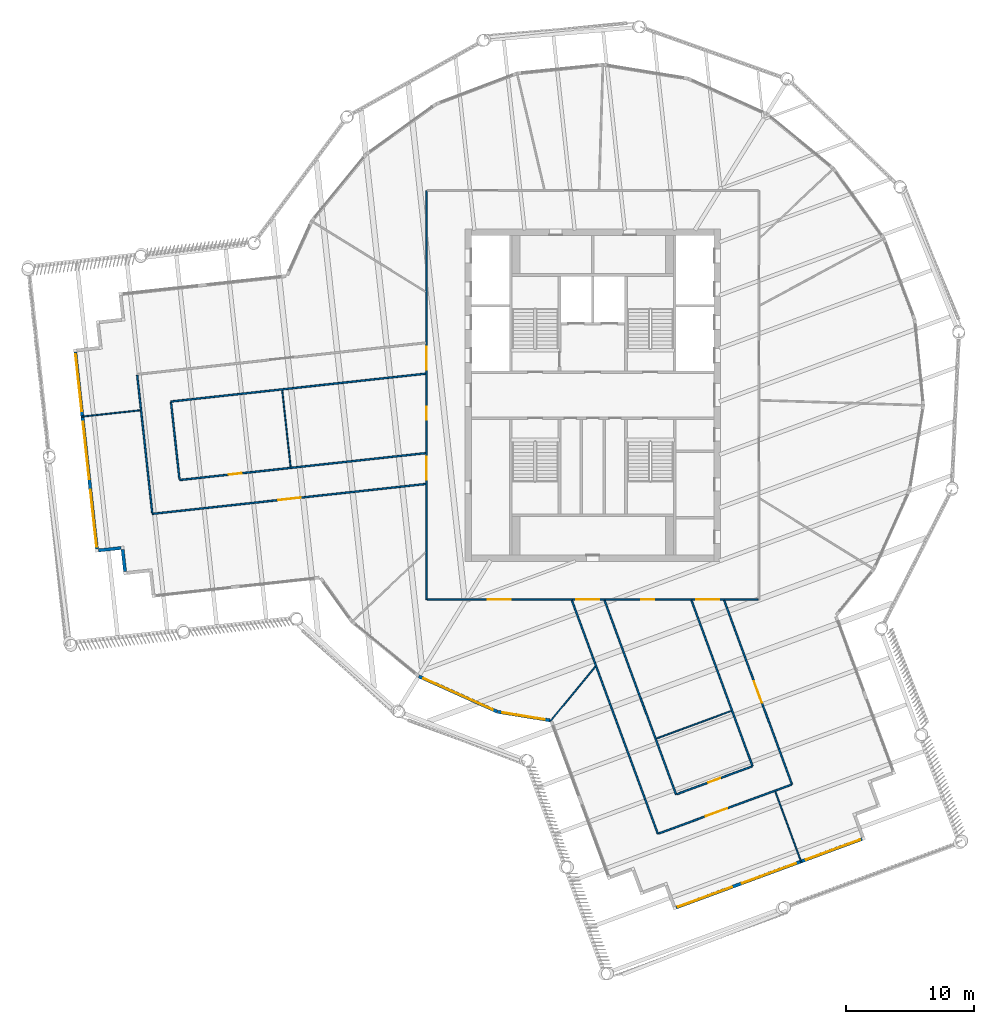
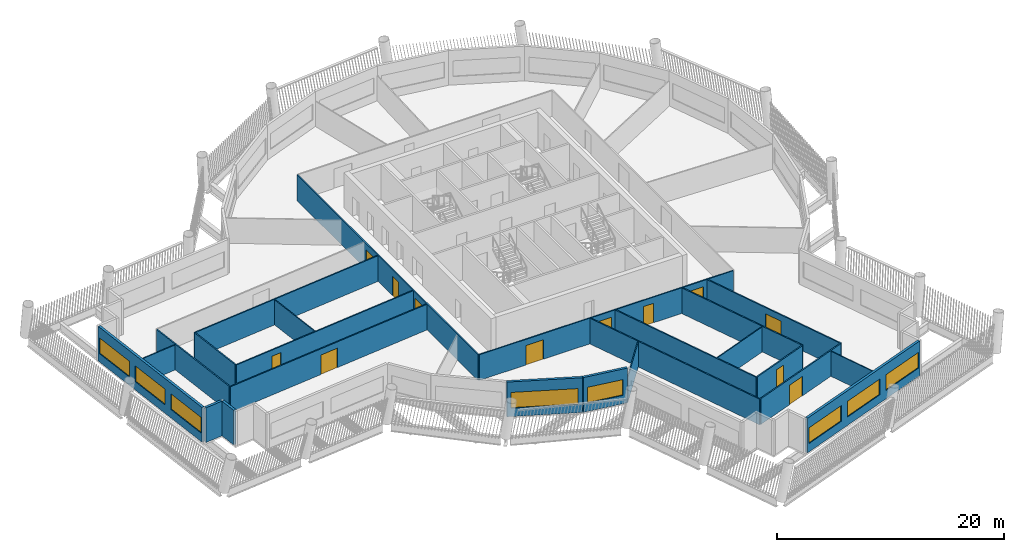
# One storey, part 3 of 14: 24 walls, 12 doors, 8 windows, 20 openings.
"""IFC4 building model written with IfcOpenShell, lengths in metres."""

from ifc_helpers import new_model, si_unit, direction, frame, frame_2d, origin, place, context, subcontext, project, spatial, rectangle, extrude, material, layer, layer_set, type_object, element, fill, save


model = new_model("IFC4")

# Units and contexts
model_context = context("Model", 3, precision=1e-05, world=origin(), true_north=direction((0.0, 1.0)))
body_context = subcontext(model_context, "Body", "Model", "MODEL_VIEW")
ifc_project = project(units=[si_unit("LENGTHUNIT", "METRE"), si_unit("AREAUNIT", "SQUARE_METRE"), si_unit("VOLUMEUNIT", "CUBIC_METRE"), si_unit("PLANEANGLEUNIT", "RADIAN"), si_unit("MASSUNIT", "GRAM", prefix="KILO")], contexts=[model_context])

# Site, building, storey
site_placement = place(None, origin())
site = spatial("IfcSite", under=ifc_project, at=site_placement, CompositionType="ELEMENT")
building_placement = place(site_placement, origin())
building = spatial("IfcBuilding", under=site, at=building_placement, Name="Tarsis Ring Headquarters", CompositionType="ELEMENT")
storey_placement = place(building_placement, frame((0.0, 0.0, 311.89990234375)))
storey = spatial("IfcBuildingStorey", under=building, at=storey_placement, Name="L73", CompositionType="ELEMENT", Elevation=311.89990234375)

# Walls
ifc_material_1 = material(Name="Gypsum board on steel studs", Category="steel")
ifc_layer_1 = layer(ifc_material_1, 0.10009765625)
ifc_layer_set_1 = layer_set([ifc_layer_1], Name="FL partition 100 unrated")
wall_type_1 = type_object("IfcWallType", Name="FL partition 100 unrated", PredefinedType="PARTITIONING", material=ifc_layer_set_1)
wall_1_placement = place(storey_placement, frame((4.981689453125, -26.865478515625, 0.0), z_axis=(0.0, 0.0, 1.0), x_axis=(0.938255580451, 0.345942864866, 0.0)))
element("IfcWall", 1, at=wall_1_placement, inside=storey, type_object=wall_type_1, Name="Partition PW3", PredefinedType="PARTITIONING", context=body_context, shape_type="SweptSolid", body=[
    extrude(rectangle(XDim=6.239990234375, YDim=0.10009765625, at=frame_2d((3.1201171875, 0.0))), origin(), (0.0, 0.0, 1.0), 2.7001953125),
])
wall_2_placement = place(storey_placement, frame((-24.29541015625, 0.381591796875, 0.0), z_axis=(0.0, 0.0, 1.0), x_axis=(0.108687897748, -0.994075923098, 0.0)))
element("IfcWall", 2, at=wall_2_placement, inside=storey, type_object=wall_type_1, Name="Partition PW3", PredefinedType="PARTITIONING", context=body_context, shape_type="SweptSolid", body=[
    extrude(rectangle(XDim=6.040283203125, YDim=0.10009765625, at=frame_2d((3.02001953125, 0.0))), origin(), (0.0, 0.0, 1.0), 2.7001953125),
])
wall_3_placement = place(storey_placement, frame((14.281494140625, -31.014404296875, 0.0), z_axis=(0.0, 0.0, 1.0), x_axis=(0.345925498559, -0.938261983375, 0.0)))
element("IfcWall", 3, at=wall_3_placement, inside=storey, type_object=wall_type_1, Name="Partition PW3", PredefinedType="PARTITIONING", context=body_context, shape_type="SweptSolid", body=[
    extrude(rectangle(XDim=5.91015625, YDim=0.10009765625, at=frame_2d((2.955078125, 0.0))), origin(), (0.0, 0.0, 1.0), 2.7001953125),
])
wall_4_placement = place(storey_placement, frame((-3.30810546875, -25.498046875, 0.0), z_axis=(0.0, 0.0, 1.0), x_axis=(0.636227899996, 0.771501172564, 0.0)))
element("IfcWall", 4, at=wall_4_placement, inside=storey, type_object=wall_type_1, Name="Partition PW3", PredefinedType="PARTITIONING", context=body_context, shape_type="SweptSolid", body=[
    extrude(rectangle(XDim=5.504638671875, YDim=0.10009765625, at=frame_2d((2.75244140625, 0.0))), origin(), (0.0, 0.0, 1.0), 2.7001953125),
])
wall_5_placement = place(storey_placement, frame((-40.00341796875, -1.68798828125, 0.0), z_axis=(0.0, 0.0, 1.0), x_axis=(0.994079988625, 0.108650707385, 0.0)))
element("IfcWall", 5, at=wall_5_placement, inside=storey, type_object=wall_type_1, Name="Partition PW3", PredefinedType="PARTITIONING", context=body_context, shape_type="SweptSolid", body=[
    extrude(rectangle(XDim=4.619873046875, YDim=0.10009765625, at=frame_2d((2.31005859375, 0.0))), origin(), (0.0, 0.0, 1.0), 2.7001953125),
])

# Wall, openings, doors
ifc_layer_2 = layer(ifc_material_1, 0.125)
ifc_layer_set_2 = layer_set([ifc_layer_2], Name="FL partition 125 EI 60 H2770")
wall_type_2 = type_object("IfcWallType", Name="FL partition 125 EI 60 H2770", PredefinedType="PARTITIONING", material=ifc_layer_set_2)
wall_6_placement = place(storey_placement, frame((-13.0, -16.0, 0.0), z_axis=(0.0, 0.0, 1.0), x_axis=(0.0, 1.0, 0.0)))
wall_6 = element("IfcWall", 6, at=wall_6_placement, inside=storey, type_object=wall_type_2, Name="Partition PW1", PredefinedType="PARTITIONING", context=body_context, shape_type="SweptSolid", body=[
    extrude(rectangle(XDim=32.0, YDim=0.125, at=frame_2d((16.0, 0.0))), origin(), (0.0, 0.0, 1.0), 2.77001953125),
])
opening_1_placement = place(wall_6_placement, frame((14.07861328125, 0.0, 0.0)))
opening_1 = element("IfcOpeningElement", 7, at=opening_1_placement, cuts=wall_6, Name="Opening D73.12", PredefinedType="OPENING", context=body_context, shape_type="SweptSolid", body=[
    extrude(rectangle(XDim=1.0, YDim=2.10009765625, at=frame_2d((0.5, 1.050048828125))), frame((0.0, 0.072509765625, 0.0), z_axis=(0.0, -1.0, 0.0), x_axis=(1.0, 0.0, 0.0)), (0.0, 0.0, 1.0), 0.14501953125),
])
opening_2_placement = place(wall_6_placement, frame((9.363037109375, 0.0, 0.0)))
opening_2 = element("IfcOpeningElement", 8, at=opening_2_placement, cuts=wall_6, Name="Opening D73.18", PredefinedType="OPENING", context=body_context, shape_type="SweptSolid", body=[
    extrude(rectangle(XDim=1.800048828125, YDim=2.10009765625, at=frame_2d((0.89990234375, 1.050048828125))), frame((0.0, 0.072509765625, 0.0), z_axis=(0.0, -1.0, 0.0), x_axis=(1.0, 0.0, 0.0)), (0.0, 0.0, 1.0), 0.14501953125),
])
opening_3_placement = place(wall_6_placement, frame((17.994140625, 0.0, 0.0)))
opening_3 = element("IfcOpeningElement", 9, at=opening_3_placement, cuts=wall_6, Name="Opening D73.19", PredefinedType="OPENING", context=body_context, shape_type="SweptSolid", body=[
    extrude(rectangle(XDim=1.800048828125, YDim=2.10009765625, at=frame_2d((0.89990234375, 1.050048828125))), frame((0.0, 0.072509765625, 0.0), z_axis=(0.0, -1.0, 0.0), x_axis=(1.0, 0.0, 0.0)), (0.0, 0.0, 1.0), 0.14501953125),
])
ifc_material_2 = material(Name="Fire-rated timber door leaf in steel frame", Category="steel")
door_type_1 = type_object("IfcDoorType", Name="FL door FD60-1000", OperationType="NOTDEFINED", PredefinedType="DOOR", material=ifc_material_2)
door_1_placement = place(opening_1_placement, origin())
door_1 = element("IfcDoor", 10, at=door_1_placement, inside=storey, type_object=door_type_1, Name="Door D73.12", OperationType="SINGLE_SWING_LEFT", OverallHeight=2.10009765625, OverallWidth=1.0, PredefinedType="DOOR", context=body_context, shape_type="SweptSolid", body=[
    extrude(rectangle(XDim=1.0, YDim=2.10009765625, at=frame_2d((0.5, 1.050048828125))), frame((0.0, 0.02490234375, 0.0), z_axis=(0.0, -1.0, 0.0), x_axis=(1.0, 0.0, 0.0)), (0.0, 0.0, 1.0), 0.050048828125),
])
fill(opening_1, door_1)
door_type_2 = type_object("IfcDoorType", Name="FL door FD60-1800", OperationType="DOUBLE_DOOR_SINGLE_SWING", PredefinedType="DOOR", material=ifc_material_2)
door_2_placement = place(opening_2_placement, origin())
door_2 = element("IfcDoor", 11, at=door_2_placement, inside=storey, type_object=door_type_2, Name="Door D73.18", OperationType="DOUBLE_DOOR_SINGLE_SWING", OverallHeight=2.10009765625, OverallWidth=1.800048828125, PredefinedType="DOOR", context=body_context, shape_type="SweptSolid", body=[
    extrude(rectangle(XDim=1.800048828125, YDim=2.10009765625, at=frame_2d((0.89990234375, 1.050048828125))), frame((0.0, 0.02490234375, 0.0), z_axis=(0.0, -1.0, 0.0), x_axis=(1.0, 0.0, 0.0)), (0.0, 0.0, 1.0), 0.050048828125),
])
fill(opening_2, door_2)
door_3_placement = place(opening_3_placement, origin())
door_3 = element("IfcDoor", 12, at=door_3_placement, inside=storey, type_object=door_type_2, Name="Door D73.19", OperationType="DOUBLE_DOOR_SINGLE_SWING", OverallHeight=2.10009765625, OverallWidth=1.800048828125, PredefinedType="DOOR", context=body_context, shape_type="SweptSolid", body=[
    extrude(rectangle(XDim=1.800048828125, YDim=2.10009765625, at=frame_2d((0.89990234375, 1.050048828125))), frame((0.0, 0.02490234375, 0.0), z_axis=(0.0, -1.0, 0.0), x_axis=(1.0, 0.0, 0.0)), (0.0, 0.0, 1.0), 0.050048828125),
])
fill(opening_3, door_3)

wall_7_placement = place(storey_placement, frame((-12.93994140625, -16.0, 0.0), z_axis=(0.0, 0.0, 1.0), x_axis=(1.0, 0.0, 0.0)))
wall_7 = element("IfcWall", 13, at=wall_7_placement, inside=storey, type_object=wall_type_2, Name="Partition PW1", PredefinedType="PARTITIONING", context=body_context, shape_type="SweptSolid", body=[
    extrude(rectangle(XDim=25.8798828125, YDim=0.125, at=frame_2d((12.93994140625, 0.0))), origin(), (0.0, 0.0, 1.0), 2.77001953125),
])
opening_4_placement = place(wall_7_placement, frame((4.71142578125, 0.0, 0.0)))
opening_4 = element("IfcOpeningElement", 14, at=opening_4_placement, cuts=wall_7, Name="Opening D73.11", PredefinedType="OPENING", context=body_context, shape_type="SweptSolid", body=[
    extrude(rectangle(XDim=1.800048828125, YDim=2.10009765625, at=frame_2d((0.89990234375, 1.050048828125))), frame((0.0, 0.072509765625, 0.0), z_axis=(0.0, -1.0, 0.0), x_axis=(1.0, 0.0, 0.0)), (0.0, 0.0, 1.0), 0.14501953125),
])
opening_5_placement = place(wall_7_placement, frame((16.74072265625, 0.0, 0.0)))
opening_5 = element("IfcOpeningElement", 15, at=opening_5_placement, cuts=wall_7, Name="Opening D73.14", PredefinedType="OPENING", context=body_context, shape_type="SweptSolid", body=[
    extrude(rectangle(XDim=1.0, YDim=2.10009765625, at=frame_2d((0.5, 1.050048828125))), frame((0.0, 0.072509765625, 0.0), z_axis=(0.0, -1.0, 0.0), x_axis=(1.0, 0.0, 0.0)), (0.0, 0.0, 1.0), 0.14501953125),
])
opening_6_placement = place(wall_7_placement, frame((11.661865234375, 0.0, 0.0)))
opening_6 = element("IfcOpeningElement", 16, at=opening_6_placement, cuts=wall_7, Name="Opening D73.16", PredefinedType="OPENING", context=body_context, shape_type="SweptSolid", body=[
    extrude(rectangle(XDim=1.800048828125, YDim=2.10009765625, at=frame_2d((0.89990234375, 1.050048828125))), frame((0.0, 0.072509765625, 0.0), z_axis=(0.0, -1.0, 0.0), x_axis=(1.0, 0.0, 0.0)), (0.0, 0.0, 1.0), 0.14501953125),
])
opening_7_placement = place(wall_7_placement, frame((21.019775390625, 0.0, 0.0)))
opening_7 = element("IfcOpeningElement", 17, at=opening_7_placement, cuts=wall_7, Name="Opening D73.17", PredefinedType="OPENING", context=body_context, shape_type="SweptSolid", body=[
    extrude(rectangle(XDim=1.800048828125, YDim=2.10009765625, at=frame_2d((0.89990234375, 1.050048828125))), frame((0.0, 0.072509765625, 0.0), z_axis=(0.0, -1.0, 0.0), x_axis=(1.0, 0.0, 0.0)), (0.0, 0.0, 1.0), 0.14501953125),
])
door_4_placement = place(opening_5_placement, origin())
door_4 = element("IfcDoor", 18, at=door_4_placement, inside=storey, type_object=door_type_1, Name="Door D73.14", OperationType="SINGLE_SWING_LEFT", OverallHeight=2.10009765625, OverallWidth=1.0, PredefinedType="DOOR", context=body_context, shape_type="SweptSolid", body=[
    extrude(rectangle(XDim=1.0, YDim=2.10009765625, at=frame_2d((0.5, 1.050048828125))), frame((0.0, 0.02490234375, 0.0), z_axis=(0.0, -1.0, 0.0), x_axis=(1.0, 0.0, 0.0)), (0.0, 0.0, 1.0), 0.050048828125),
])
fill(opening_5, door_4)
door_5_placement = place(opening_4_placement, origin())
door_5 = element("IfcDoor", 19, at=door_5_placement, inside=storey, type_object=door_type_2, Name="Door D73.11", OperationType="DOUBLE_DOOR_SINGLE_SWING", OverallHeight=2.10009765625, OverallWidth=1.800048828125, PredefinedType="DOOR", context=body_context, shape_type="SweptSolid", body=[
    extrude(rectangle(XDim=1.800048828125, YDim=2.10009765625, at=frame_2d((0.89990234375, 1.050048828125))), frame((0.0, 0.02490234375, 0.0), z_axis=(0.0, -1.0, 0.0), x_axis=(1.0, 0.0, 0.0)), (0.0, 0.0, 1.0), 0.050048828125),
])
fill(opening_4, door_5)
door_6_placement = place(opening_6_placement, origin())
door_6 = element("IfcDoor", 20, at=door_6_placement, inside=storey, type_object=door_type_2, Name="Door D73.16", OperationType="DOUBLE_DOOR_SINGLE_SWING", OverallHeight=2.10009765625, OverallWidth=1.800048828125, PredefinedType="DOOR", context=body_context, shape_type="SweptSolid", body=[
    extrude(rectangle(XDim=1.800048828125, YDim=2.10009765625, at=frame_2d((0.89990234375, 1.050048828125))), frame((0.0, 0.02490234375, 0.0), z_axis=(0.0, -1.0, 0.0), x_axis=(1.0, 0.0, 0.0)), (0.0, 0.0, 1.0), 0.050048828125),
])
fill(opening_6, door_6)
door_7_placement = place(opening_7_placement, origin())
door_7 = element("IfcDoor", 21, at=door_7_placement, inside=storey, type_object=door_type_2, Name="Door D73.17", OperationType="DOUBLE_DOOR_SINGLE_SWING", OverallHeight=2.10009765625, OverallWidth=1.800048828125, PredefinedType="DOOR", context=body_context, shape_type="SweptSolid", body=[
    extrude(rectangle(XDim=1.800048828125, YDim=2.10009765625, at=frame_2d((0.89990234375, 1.050048828125))), frame((0.0, 0.02490234375, 0.0), z_axis=(0.0, -1.0, 0.0), x_axis=(1.0, 0.0, 0.0)), (0.0, 0.0, 1.0), 0.050048828125),
])
fill(opening_7, door_7)

# Wall, opening, door
wall_8_placement = place(storey_placement, frame((-34.454345703125, -9.2900390625, 0.0), z_axis=(0.0, 0.0, 1.0), x_axis=(0.994075830862, 0.108688741348, 0.0)))
wall_8 = element("IfcWall", 22, at=wall_8_placement, inside=storey, type_object=wall_type_2, Name="Partition PW1", PredefinedType="PARTITIONING", context=body_context, shape_type="SweptSolid", body=[
    extrude(rectangle(XDim=21.51220703125, YDim=0.125, at=frame_2d((10.756103515625, 0.0))), origin(), (0.0, 0.0, 1.0), 2.77001953125),
])
opening_8_placement = place(wall_8_placement, frame((9.89111328125, 0.0, 0.0)))
opening_8 = element("IfcOpeningElement", 23, at=opening_8_placement, cuts=wall_8, Name="Opening D73.01", PredefinedType="OPENING", context=body_context, shape_type="SweptSolid", body=[
    extrude(rectangle(XDim=1.800048828125, YDim=2.10009765625, at=frame_2d((0.89990234375, 1.050048828125))), frame((0.0, 0.072509765625, 0.0), z_axis=(0.0, -1.0, 0.0), x_axis=(1.0, 0.0, 0.0)), (0.0, 0.0, 1.0), 0.14501953125),
])
door_8_placement = place(opening_8_placement, origin())
door_8 = element("IfcDoor", 24, at=door_8_placement, inside=storey, type_object=door_type_2, Name="Door D73.01", OperationType="DOUBLE_DOOR_SINGLE_SWING", OverallHeight=2.10009765625, OverallWidth=1.800048828125, PredefinedType="DOOR", context=body_context, shape_type="SweptSolid", body=[
    extrude(rectangle(XDim=1.800048828125, YDim=2.10009765625, at=frame_2d((0.89990234375, 1.050048828125))), frame((0.0, 0.02490234375, 0.0), z_axis=(0.0, -1.0, 0.0), x_axis=(1.0, 0.0, 0.0)), (0.0, 0.0, 1.0), 0.050048828125),
])
fill(opening_8, door_8)

# Walls
wall_9_placement = place(storey_placement, frame((-33.001220703125, -0.5, 0.0), z_axis=(0.0, 0.0, 1.0), x_axis=(0.994074816942, 0.108698014342, 0.0)))
element("IfcWall", 25, at=wall_9_placement, inside=storey, type_object=wall_type_2, Name="Partition PW1", PredefinedType="PARTITIONING", context=body_context, shape_type="SweptSolid", body=[
    extrude(rectangle(XDim=20.050537109375, YDim=0.125, at=frame_2d((10.025390625, 0.0))), origin(), (0.0, 0.0, 1.0), 2.77001953125),
])
wall_10_placement = place(storey_placement, frame((-1.62939453125, -16.0751953125, 0.0), z_axis=(0.0, 0.0, 1.0), x_axis=(0.345957203089, -0.938250293702, 0.0)))
element("IfcWall", 26, at=wall_10_placement, inside=storey, type_object=wall_type_2, Name="Partition PW1", PredefinedType="PARTITIONING", context=body_context, shape_type="SweptSolid", body=[
    extrude(rectangle(XDim=19.451171875, YDim=0.125, at=frame_2d((9.7255859375, 0.0))), origin(), (0.0, 0.0, 1.0), 2.77001953125),
])

# Wall, opening, door
wall_11_placement = place(storey_placement, frame((-32.32958984375, -6.643310546875, 0.0), z_axis=(0.0, 0.0, 1.0), x_axis=(0.994076436304, 0.108683203782, 0.0)))
wall_11 = element("IfcWall", 27, at=wall_11_placement, inside=storey, type_object=wall_type_2, Name="Partition PW1", PredefinedType="PARTITIONING", context=body_context, shape_type="SweptSolid", body=[
    extrude(rectangle(XDim=19.374755859375, YDim=0.125, at=frame_2d((9.6875, 0.0))), origin(), (0.0, 0.0, 1.0), 2.77001953125),
])
opening_9_placement = place(wall_11_placement, frame((3.875732421875, 0.0, 0.0)))
opening_9 = element("IfcOpeningElement", 28, at=opening_9_placement, cuts=wall_11, Name="Opening D73.13", PredefinedType="OPENING", context=body_context, shape_type="SweptSolid", body=[
    extrude(rectangle(XDim=1.0, YDim=2.10009765625, at=frame_2d((0.5, 1.050048828125))), frame((0.0, 0.072509765625, 0.0), z_axis=(0.0, -1.0, 0.0), x_axis=(1.0, 0.0, 0.0)), (0.0, 0.0, 1.0), 0.14501953125),
])
door_9_placement = place(opening_9_placement, origin())
door_9 = element("IfcDoor", 29, at=door_9_placement, inside=storey, type_object=door_type_1, Name="Door D73.13", OperationType="SINGLE_SWING_RIGHT", OverallHeight=2.10009765625, OverallWidth=1.0, PredefinedType="DOOR", context=body_context, shape_type="SweptSolid", body=[
    extrude(rectangle(XDim=1.0, YDim=2.10009765625, at=frame_2d((0.5, 1.050048828125))), frame((0.0, 0.02490234375, 0.0), z_axis=(0.0, -1.0, 0.0), x_axis=(1.0, 0.0, 0.0)), (0.0, 0.0, 1.0), 0.050048828125),
])
fill(opening_9, door_9)

# Wall
wall_12_placement = place(storey_placement, frame((0.9287109375, -16.0751953125, 0.0), z_axis=(0.0, 0.0, 1.0), x_axis=(0.34594119673, -0.938256195506, 0.0)))
element("IfcWall", 30, at=wall_12_placement, inside=storey, type_object=wall_type_2, Name="Partition PW1", PredefinedType="PARTITIONING", context=body_context, shape_type="SweptSolid", body=[
    extrude(rectangle(XDim=16.166015625, YDim=0.125, at=frame_2d((8.0830078125, 0.0))), origin(), (0.0, 0.0, 1.0), 2.77001953125),
])

# Wall, opening, door
wall_13_placement = place(storey_placement, frame((10.286376953125, -16.0751953125, 0.0), z_axis=(0.0, 0.0, 1.0), x_axis=(0.345962194843, -0.938248453097, 0.0)))
wall_13 = element("IfcWall", 31, at=wall_13_placement, inside=storey, type_object=wall_type_2, Name="Partition PW1", PredefinedType="PARTITIONING", context=body_context, shape_type="SweptSolid", body=[
    extrude(rectangle(XDim=15.328857421875, YDim=0.125, at=frame_2d((7.66455078125, 0.0))), origin(), (0.0, 0.0, 1.0), 2.77001953125),
])
opening_10_placement = place(wall_13_placement, frame((6.724609375, 0.0, 0.0)))
opening_10 = element("IfcOpeningElement", 32, at=opening_10_placement, cuts=wall_13, Name="Opening D73.09", PredefinedType="OPENING", context=body_context, shape_type="SweptSolid", body=[
    extrude(rectangle(XDim=1.800048828125, YDim=2.10009765625, at=frame_2d((0.89990234375, 1.050048828125))), frame((0.0, 0.072509765625, 0.0), z_axis=(0.0, -1.0, 0.0), x_axis=(1.0, 0.0, 0.0)), (0.0, 0.0, 1.0), 0.14501953125),
])
door_10_placement = place(opening_10_placement, origin())
door_10 = element("IfcDoor", 33, at=door_10_placement, inside=storey, type_object=door_type_2, Name="Door D73.09", OperationType="DOUBLE_DOOR_SINGLE_SWING", OverallHeight=2.10009765625, OverallWidth=1.800048828125, PredefinedType="DOOR", context=body_context, shape_type="SweptSolid", body=[
    extrude(rectangle(XDim=1.800048828125, YDim=2.10009765625, at=frame_2d((0.89990234375, 1.050048828125))), frame((0.0, 0.02490234375, 0.0), z_axis=(0.0, -1.0, 0.0), x_axis=(1.0, 0.0, 0.0)), (0.0, 0.0, 1.0), 0.050048828125),
])
fill(opening_10, door_10)

# Wall
wall_14_placement = place(storey_placement, frame((7.728515625, -16.0751953125, 0.0), z_axis=(0.0, 0.0, 1.0), x_axis=(0.345948600201, -0.938253465764, 0.0)))
element("IfcWall", 34, at=wall_14_placement, inside=storey, type_object=wall_type_2, Name="Partition PW1", PredefinedType="PARTITIONING", context=body_context, shape_type="SweptSolid", body=[
    extrude(rectangle(XDim=13.813720703125, YDim=0.125, at=frame_2d((6.90673828125, 0.0))), origin(), (0.0, 0.0, 1.0), 2.77001953125),
])

# Wall, opening, door
wall_15_placement = place(storey_placement, frame((5.156005859375, -34.304443359375, 0.0), z_axis=(0.0, 0.0, 1.0), x_axis=(0.938255275107, 0.345943693012, 0.0)))
wall_15 = element("IfcWall", 35, at=wall_15_placement, inside=storey, type_object=wall_type_2, Name="Partition PW1", PredefinedType="PARTITIONING", context=body_context, shape_type="SweptSolid", body=[
    extrude(rectangle(XDim=11.06005859375, YDim=0.125, at=frame_2d((5.530029296875, 0.0))), origin(), (0.0, 0.0, 1.0), 2.77001953125),
])
opening_11_placement = place(wall_15_placement, frame((3.918212890625, 0.0, 0.0)))
opening_11 = element("IfcOpeningElement", 36, at=opening_11_placement, cuts=wall_15, Name="Opening D73.10", PredefinedType="OPENING", context=body_context, shape_type="SweptSolid", body=[
    extrude(rectangle(XDim=1.800048828125, YDim=2.10009765625, at=frame_2d((0.89990234375, 1.050048828125))), frame((0.0, 0.072509765625, 0.0), z_axis=(0.0, -1.0, 0.0), x_axis=(1.0, 0.0, 0.0)), (0.0, 0.0, 1.0), 0.14501953125),
])
door_11_placement = place(opening_11_placement, origin())
door_11 = element("IfcDoor", 37, at=door_11_placement, inside=storey, type_object=door_type_2, Name="Door D73.10", OperationType="DOUBLE_DOOR_SINGLE_SWING", OverallHeight=2.10009765625, OverallWidth=1.800048828125, PredefinedType="DOOR", context=body_context, shape_type="SweptSolid", body=[
    extrude(rectangle(XDim=1.800048828125, YDim=2.10009765625, at=frame_2d((0.89990234375, 1.050048828125))), frame((0.0, 0.02490234375, 0.0), z_axis=(0.0, -1.0, 0.0), x_axis=(1.0, 0.0, 0.0)), (0.0, 0.0, 1.0), 0.050048828125),
])
fill(opening_11, door_11)

# Wall
wall_16_placement = place(storey_placement, frame((-35.641357421875, 1.565185546875, 0.0), z_axis=(0.0, 0.0, 1.0), x_axis=(0.108694310099, -0.994075221979, 0.0)))
element("IfcWall", 38, at=wall_16_placement, inside=storey, type_object=wall_type_2, Name="Partition PW1", PredefinedType="PARTITIONING", context=body_context, shape_type="SweptSolid", body=[
    extrude(rectangle(XDim=10.860107421875, YDim=0.125, at=frame_2d((5.43017578125, 0.0))), origin(), (0.0, 0.0, 1.0), 2.77001953125),
])

# Wall, opening, door
wall_17_placement = place(storey_placement, frame((6.57763671875, -31.222412109375, 0.0), z_axis=(0.0, 0.0, 1.0), x_axis=(0.938247865588, 0.345963788163, 0.0)))
wall_17 = element("IfcWall", 39, at=wall_17_placement, inside=storey, type_object=wall_type_2, Name="Partition PW1", PredefinedType="PARTITIONING", context=body_context, shape_type="SweptSolid", body=[
    extrude(rectangle(XDim=6.260009765625, YDim=0.125, at=frame_2d((3.1298828125, 0.0))), origin(), (0.0, 0.0, 1.0), 2.77001953125),
])
opening_12_placement = place(wall_17_placement, frame((2.6298828125, 0.0, 0.0)))
opening_12 = element("IfcOpeningElement", 40, at=opening_12_placement, cuts=wall_17, Name="Opening D73.15", PredefinedType="OPENING", context=body_context, shape_type="SweptSolid", body=[
    extrude(rectangle(XDim=1.0, YDim=2.10009765625, at=frame_2d((0.5, 1.050048828125))), frame((0.0, 0.072509765625, 0.0), z_axis=(0.0, -1.0, 0.0), x_axis=(1.0, 0.0, 0.0)), (0.0, 0.0, 1.0), 0.14501953125),
])
door_12_placement = place(opening_12_placement, origin())
door_12 = element("IfcDoor", 41, at=door_12_placement, inside=storey, type_object=door_type_1, Name="Door D73.15", OperationType="SINGLE_SWING_RIGHT", OverallHeight=2.10009765625, OverallWidth=1.0, PredefinedType="DOOR", context=body_context, shape_type="SweptSolid", body=[
    extrude(rectangle(XDim=1.0, YDim=2.10009765625, at=frame_2d((0.5, 1.050048828125))), frame((0.0, 0.02490234375, 0.0), z_axis=(0.0, -1.0, 0.0), x_axis=(1.0, 0.0, 0.0)), (0.0, 0.0, 1.0), 0.050048828125),
])
fill(opening_12, door_12)

# Wall
wall_18_placement = place(storey_placement, frame((-32.99462890625, -0.5595703125, 0.0), z_axis=(0.0, 0.0, 1.0), x_axis=(0.108693623163, -0.99407529709, 0.0)))
element("IfcWall", 42, at=wall_18_placement, inside=storey, type_object=wall_type_2, Name="Partition PW1", PredefinedType="PARTITIONING", context=body_context, shape_type="SweptSolid", body=[
    extrude(rectangle(XDim=6.06005859375, YDim=0.125, at=frame_2d((3.030029296875, 0.0))), origin(), (0.0, 0.0, 1.0), 2.77001953125),
])

# Wall, opening, window
ifc_material_3 = material(Name="Terracotta clad insulated panel wall", Category="masonry")
ifc_layer_3 = layer(ifc_material_3, 0.25)
ifc_layer_set_3 = layer_set([ifc_layer_3], Name="Facade wall terracotta panel 250")
wall_type_3 = type_object("IfcWallType", Name="Facade wall terracotta panel 250", PredefinedType="STANDARD", material=ifc_layer_set_3)
wall_19_placement = place(storey_placement, frame((-13.60400390625, -22.00634765625, 0.0), z_axis=(0.0, 0.0, 1.0), x_axis=(0.911690287201, -0.410878108718, 0.0)))
wall_19 = element("IfcWall", 43, at=wall_19_placement, inside=storey, type_object=wall_type_3, Name="External wall L73-04", PredefinedType="STANDARD", context=body_context, shape_type="SweptSolid", body=[
    extrude(rectangle(XDim=6.721435546875, YDim=0.25, at=frame_2d((3.36083984375, 0.0))), origin(), (0.0, 0.0, 1.0), 3.739990234375),
])
opening_13_placement = place(wall_19_placement, frame((0.3857421875, 0.0, 0.89990234375)))
opening_13 = element("IfcOpeningElement", 44, at=opening_13_placement, cuts=wall_19, Name="Opening WN07", PredefinedType="OPENING", context=body_context, shape_type="SweptSolid", body=[
    extrude(rectangle(XDim=5.949951171875, YDim=1.699951171875, at=frame_2d((2.97509765625, 0.85009765625))), frame((0.0, 0.135009765625, 0.0), z_axis=(0.0, -1.0, 0.0), x_axis=(1.0, 0.0, 0.0)), (0.0, 0.0, 1.0), 0.27001953125),
])
ifc_material_4 = material(Name="Aluminium framed double glazing", Category="aluminium")
window_type_1 = type_object("IfcWindowType", Name="Facade window 5950 x 1700", PartitioningType="SINGLE_PANEL", PredefinedType="WINDOW", material=ifc_material_4)
window_1_placement = place(opening_13_placement, origin())
window_1 = element("IfcWindow", 45, at=window_1_placement, inside=storey, type_object=window_type_1, Name="Window L73-04.1", OverallHeight=1.699951171875, OverallWidth=5.949951171875, PartitioningType="SINGLE_PANEL", PredefinedType="WINDOW", context=body_context, shape_type="SweptSolid", body=[
    extrude(rectangle(XDim=5.949951171875, YDim=1.699951171875, at=frame_2d((2.97509765625, 0.85009765625))), frame((0.0, 0.030029296875, 0.0), z_axis=(0.0, -1.0, 0.0), x_axis=(1.0, 0.0, 0.0)), (0.0, 0.0, 1.0), 0.06005859375),
])
fill(opening_13, window_1)

wall_20_placement = place(storey_placement, frame((-7.44482421875, -24.777587890625, 0.0), z_axis=(0.0, 0.0, 1.0), x_axis=(0.98697020876, -0.160903098233, 0.0)))
wall_20 = element("IfcWall", 46, at=wall_20_placement, inside=storey, type_object=wall_type_3, Name="External wall L73-05", PredefinedType="STANDARD", context=body_context, shape_type="SweptSolid", body=[
    extrude(rectangle(XDim=4.157470703125, YDim=0.25, at=frame_2d((2.07861328125, 0.0))), origin(), (0.0, 0.0, 1.0), 3.739990234375),
])
opening_14_placement = place(wall_20_placement, frame((0.38720703125, 0.0, 0.89990234375)))
opening_14 = element("IfcOpeningElement", 47, at=opening_14_placement, cuts=wall_20, Name="Opening WN01", PredefinedType="OPENING", context=body_context, shape_type="SweptSolid", body=[
    extrude(rectangle(XDim=3.35009765625, YDim=1.699951171875, at=frame_2d((1.675048828125, 0.85009765625))), frame((0.0, 0.135009765625, 0.0), z_axis=(0.0, -1.0, 0.0), x_axis=(1.0, 0.0, 0.0)), (0.0, 0.0, 1.0), 0.27001953125),
])
window_type_2 = type_object("IfcWindowType", Name="Facade window 3350 x 1700", PartitioningType="SINGLE_PANEL", PredefinedType="WINDOW", material=ifc_material_4)
window_2_placement = place(opening_14_placement, origin())
window_2 = element("IfcWindow", 48, at=window_2_placement, inside=storey, type_object=window_type_2, Name="Window L73-05.1", OverallHeight=1.699951171875, OverallWidth=3.35009765625, PartitioningType="SINGLE_PANEL", PredefinedType="WINDOW", context=body_context, shape_type="SweptSolid", body=[
    extrude(rectangle(XDim=3.35009765625, YDim=1.699951171875, at=frame_2d((1.675048828125, 0.85009765625))), frame((0.0, 0.030029296875, 0.0), z_axis=(0.0, -1.0, 0.0), x_axis=(1.0, 0.0, 0.0)), (0.0, 0.0, 1.0), 0.06005859375),
])
fill(opening_14, window_2)

# Wall, openings, windows
wall_21_placement = place(storey_placement, frame((6.5234375, -40.093994140625, 0.0), z_axis=(0.0, 0.0, 1.0), x_axis=(0.938251651746, 0.345953519993, 0.0)))
wall_21 = element("IfcWall", 49, at=wall_21_placement, inside=storey, type_object=wall_type_3, Name="External wall L73-11", PredefinedType="STANDARD", context=body_context, shape_type="SweptSolid", body=[
    extrude(rectangle(XDim=15.5, YDim=0.25, at=frame_2d((7.75, 0.0))), origin(), (0.0, 0.0, 1.0), 3.739990234375),
])
opening_15_placement = place(wall_21_placement, frame((0.166748046875, 0.0, 0.89990234375)))
opening_15 = element("IfcOpeningElement", 50, at=opening_15_placement, cuts=wall_21, Name="Opening WN04", PredefinedType="OPENING", context=body_context, shape_type="SweptSolid", body=[
    extrude(rectangle(XDim=4.5, YDim=1.699951171875, at=frame_2d((2.25, 0.85009765625))), frame((0.0, 0.135009765625, 0.0), z_axis=(0.0, -1.0, 0.0), x_axis=(1.0, 0.0, 0.0)), (0.0, 0.0, 1.0), 0.27001953125),
])
opening_16_placement = place(wall_21_placement, frame((5.5, 0.0, 0.89990234375)))
opening_16 = element("IfcOpeningElement", 51, at=opening_16_placement, cuts=wall_21, Name="Opening WN04", PredefinedType="OPENING", context=body_context, shape_type="SweptSolid", body=[
    extrude(rectangle(XDim=4.5, YDim=1.699951171875, at=frame_2d((2.25, 0.85009765625))), frame((0.0, 0.135009765625, 0.0), z_axis=(0.0, -1.0, 0.0), x_axis=(1.0, 0.0, 0.0)), (0.0, 0.0, 1.0), 0.27001953125),
])
opening_17_placement = place(wall_21_placement, frame((10.833251953125, 0.0, 0.89990234375)))
opening_17 = element("IfcOpeningElement", 52, at=opening_17_placement, cuts=wall_21, Name="Opening WN04", PredefinedType="OPENING", context=body_context, shape_type="SweptSolid", body=[
    extrude(rectangle(XDim=4.5, YDim=1.699951171875, at=frame_2d((2.25, 0.85009765625))), frame((0.0, 0.135009765625, 0.0), z_axis=(0.0, -1.0, 0.0), x_axis=(1.0, 0.0, 0.0)), (0.0, 0.0, 1.0), 0.27001953125),
])
window_type_3 = type_object("IfcWindowType", Name="Facade window 4500 x 1700", PartitioningType="SINGLE_PANEL", PredefinedType="WINDOW", material=ifc_material_4)
window_3_placement = place(opening_15_placement, origin())
window_3 = element("IfcWindow", 53, at=window_3_placement, inside=storey, type_object=window_type_3, Name="Window L73-11.1", OverallHeight=1.699951171875, OverallWidth=4.5, PartitioningType="SINGLE_PANEL", PredefinedType="WINDOW", context=body_context, shape_type="SweptSolid", body=[
    extrude(rectangle(XDim=4.5, YDim=1.699951171875, at=frame_2d((2.25, 0.85009765625))), frame((0.0, 0.030029296875, 0.0), z_axis=(0.0, -1.0, 0.0), x_axis=(1.0, 0.0, 0.0)), (0.0, 0.0, 1.0), 0.06005859375),
])
fill(opening_15, window_3)
window_4_placement = place(opening_16_placement, origin())
window_4 = element("IfcWindow", 54, at=window_4_placement, inside=storey, type_object=window_type_3, Name="Window L73-11.2", OverallHeight=1.699951171875, OverallWidth=4.5, PartitioningType="SINGLE_PANEL", PredefinedType="WINDOW", context=body_context, shape_type="SweptSolid", body=[
    extrude(rectangle(XDim=4.5, YDim=1.699951171875, at=frame_2d((2.25, 0.85009765625))), frame((0.0, 0.030029296875, 0.0), z_axis=(0.0, -1.0, 0.0), x_axis=(1.0, 0.0, 0.0)), (0.0, 0.0, 1.0), 0.06005859375),
])
fill(opening_16, window_4)
window_5_placement = place(opening_17_placement, origin())
window_5 = element("IfcWindow", 55, at=window_5_placement, inside=storey, type_object=window_type_3, Name="Window L73-11.3", OverallHeight=1.699951171875, OverallWidth=4.5, PartitioningType="SINGLE_PANEL", PredefinedType="WINDOW", context=body_context, shape_type="SweptSolid", body=[
    extrude(rectangle(XDim=4.5, YDim=1.699951171875, at=frame_2d((2.25, 0.85009765625))), frame((0.0, 0.030029296875, 0.0), z_axis=(0.0, -1.0, 0.0), x_axis=(1.0, 0.0, 0.0)), (0.0, 0.0, 1.0), 0.06005859375),
])
fill(opening_17, window_5)

wall_22_placement = place(storey_placement, frame((-40.481201171875, 3.369873046875, 0.0), z_axis=(0.0, 0.0, 1.0), x_axis=(0.108697407304, -0.994074883319, 0.0)))
wall_22 = element("IfcWall", 56, at=wall_22_placement, inside=storey, type_object=wall_type_3, Name="External wall L73-36", PredefinedType="STANDARD", context=body_context, shape_type="SweptSolid", body=[
    extrude(rectangle(XDim=15.5, YDim=0.25, at=frame_2d((7.75, 0.0))), origin(), (0.0, 0.0, 1.0), 3.739990234375),
])
opening_18_placement = place(wall_22_placement, frame((0.166748046875, 0.0, 0.89990234375)))
opening_18 = element("IfcOpeningElement", 57, at=opening_18_placement, cuts=wall_22, Name="Opening WN04", PredefinedType="OPENING", context=body_context, shape_type="SweptSolid", body=[
    extrude(rectangle(XDim=4.5, YDim=1.699951171875, at=frame_2d((2.25, 0.85009765625))), frame((0.0, 0.135009765625, 0.0), z_axis=(0.0, -1.0, 0.0), x_axis=(1.0, 0.0, 0.0)), (0.0, 0.0, 1.0), 0.27001953125),
])
opening_19_placement = place(wall_22_placement, frame((5.5, 0.0, 0.89990234375)))
opening_19 = element("IfcOpeningElement", 58, at=opening_19_placement, cuts=wall_22, Name="Opening WN04", PredefinedType="OPENING", context=body_context, shape_type="SweptSolid", body=[
    extrude(rectangle(XDim=4.5, YDim=1.699951171875, at=frame_2d((2.25, 0.85009765625))), frame((0.0, 0.135009765625, 0.0), z_axis=(0.0, -1.0, 0.0), x_axis=(1.0, 0.0, 0.0)), (0.0, 0.0, 1.0), 0.27001953125),
])
opening_20_placement = place(wall_22_placement, frame((10.833251953125, 0.0, 0.89990234375)))
opening_20 = element("IfcOpeningElement", 59, at=opening_20_placement, cuts=wall_22, Name="Opening WN04", PredefinedType="OPENING", context=body_context, shape_type="SweptSolid", body=[
    extrude(rectangle(XDim=4.5, YDim=1.699951171875, at=frame_2d((2.25, 0.85009765625))), frame((0.0, 0.135009765625, 0.0), z_axis=(0.0, -1.0, 0.0), x_axis=(1.0, 0.0, 0.0)), (0.0, 0.0, 1.0), 0.27001953125),
])
window_6_placement = place(opening_18_placement, origin())
window_6 = element("IfcWindow", 60, at=window_6_placement, inside=storey, type_object=window_type_3, Name="Window L73-36.1", OverallHeight=1.699951171875, OverallWidth=4.5, PartitioningType="SINGLE_PANEL", PredefinedType="WINDOW", context=body_context, shape_type="SweptSolid", body=[
    extrude(rectangle(XDim=4.5, YDim=1.699951171875, at=frame_2d((2.25, 0.85009765625))), frame((0.0, 0.030029296875, 0.0), z_axis=(0.0, -1.0, 0.0), x_axis=(1.0, 0.0, 0.0)), (0.0, 0.0, 1.0), 0.06005859375),
])
fill(opening_18, window_6)
window_7_placement = place(opening_19_placement, origin())
window_7 = element("IfcWindow", 61, at=window_7_placement, inside=storey, type_object=window_type_3, Name="Window L73-36.2", OverallHeight=1.699951171875, OverallWidth=4.5, PartitioningType="SINGLE_PANEL", PredefinedType="WINDOW", context=body_context, shape_type="SweptSolid", body=[
    extrude(rectangle(XDim=4.5, YDim=1.699951171875, at=frame_2d((2.25, 0.85009765625))), frame((0.0, 0.030029296875, 0.0), z_axis=(0.0, -1.0, 0.0), x_axis=(1.0, 0.0, 0.0)), (0.0, 0.0, 1.0), 0.06005859375),
])
fill(opening_19, window_7)
window_8_placement = place(opening_20_placement, origin())
window_8 = element("IfcWindow", 62, at=window_8_placement, inside=storey, type_object=window_type_3, Name="Window L73-36.3", OverallHeight=1.699951171875, OverallWidth=4.5, PartitioningType="SINGLE_PANEL", PredefinedType="WINDOW", context=body_context, shape_type="SweptSolid", body=[
    extrude(rectangle(XDim=4.5, YDim=1.699951171875, at=frame_2d((2.25, 0.85009765625))), frame((0.0, 0.030029296875, 0.0), z_axis=(0.0, -1.0, 0.0), x_axis=(1.0, 0.0, 0.0)), (0.0, 0.0, 1.0), 0.06005859375),
])
fill(opening_20, window_8)

# Walls
wall_23_placement = place(storey_placement, frame((-38.658447265625, -12.14892578125, 0.0), z_axis=(0.0, 0.0, 1.0), x_axis=(0.994076167652, 0.108685660997, 0.0)))
element("IfcWall", 63, at=wall_23_placement, inside=storey, type_object=wall_type_3, Name="External wall L73-37", PredefinedType="STANDARD", context=body_context, shape_type="SweptSolid", body=[
    extrude(rectangle(XDim=1.749755859375, YDim=0.25, at=frame_2d((0.875, 0.0))), origin(), (0.0, 0.0, 1.0), 3.739990234375),
])
wall_24_placement = place(storey_placement, frame((-36.781005859375, -12.0693359375, 0.0), z_axis=(0.0, 0.0, 1.0), x_axis=(0.108670589137, -0.994077815393, 0.0)))
element("IfcWall", 64, at=wall_24_placement, inside=storey, type_object=wall_type_3, Name="External wall L73-38", PredefinedType="STANDARD", context=body_context, shape_type="SweptSolid", body=[
    extrude(rectangle(XDim=1.75, YDim=0.25, at=frame_2d((0.875, 0.0))), origin(), (0.0, 0.0, 1.0), 3.739990234375),
])

save(model, "model.ifc")
